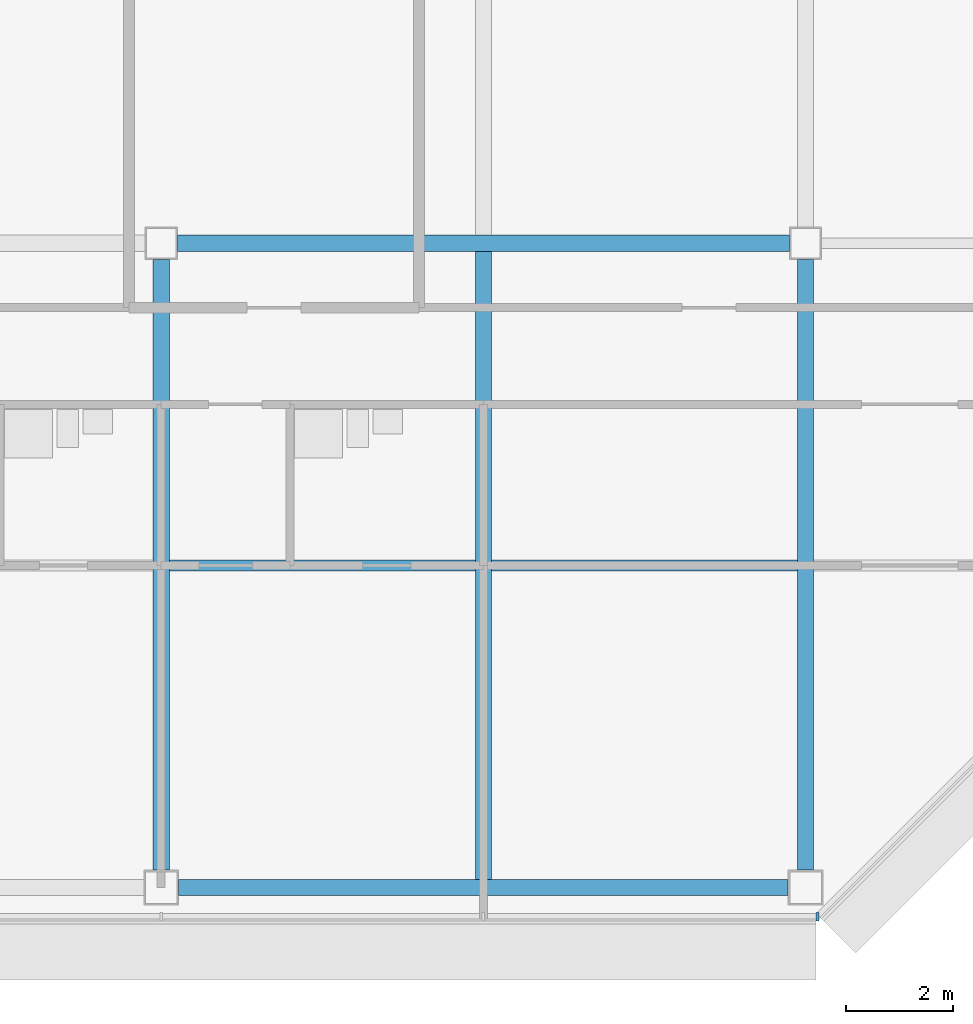
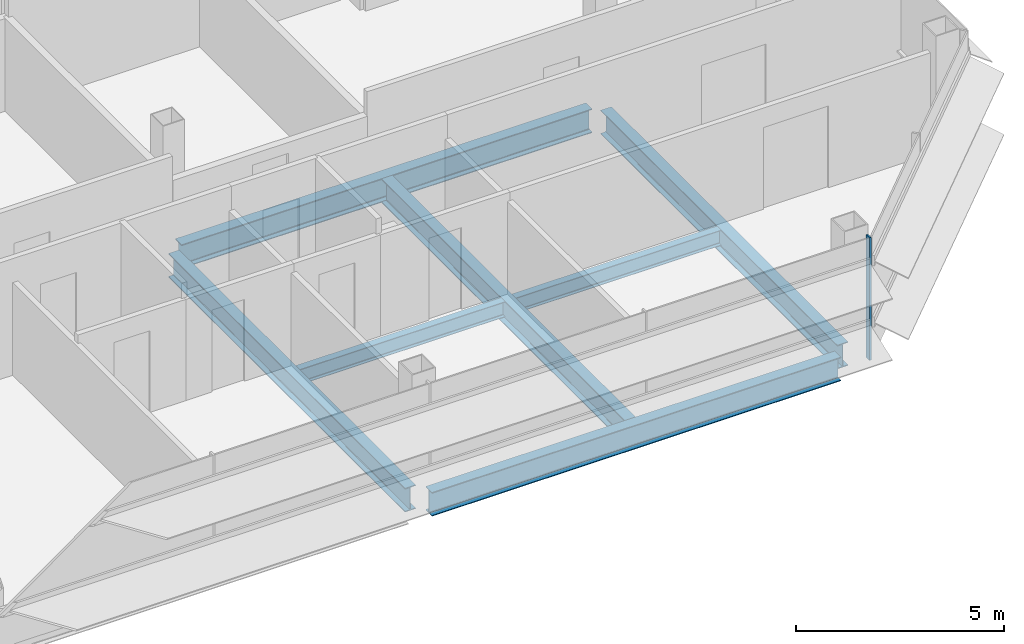
# One storey, part 9 of 26: 7 beams, 1 member, 1 element without a shape of its own.
"""IFC4 building model written with IfcOpenShell, lengths in metres."""

from ifc_helpers import new_model, si_unit, direction, frame, origin, origin_2d, place, context, subcontext, project, spatial, rectangle, i_section, extrude, material, material_profile, profile_set, type_object, element, aggregate, save


model = new_model("IFC4")

# Units and contexts
model_context = context("Model", 3, precision=1e-05, world=origin(), true_north=direction((0.0, 1.0)))
body_context = subcontext(model_context, "Body", "Model", "MODEL_VIEW")
ifc_project = project(units=[si_unit("LENGTHUNIT", "METRE"), si_unit("AREAUNIT", "SQUARE_METRE"), si_unit("VOLUMEUNIT", "CUBIC_METRE"), si_unit("PLANEANGLEUNIT", "RADIAN"), si_unit("MASSUNIT", "GRAM", prefix="KILO")], contexts=[model_context])

# Site, building, storey
site_placement = place(None, origin())
site = spatial("IfcSite", under=ifc_project, at=site_placement, CompositionType="ELEMENT")
building_placement = place(site_placement, origin())
building = spatial("IfcBuilding", under=site, at=building_placement, Name="Sorahane Residences", CompositionType="ELEMENT")
storey_placement = place(building_placement, frame((0.0, 0.0, 243.199951171875)))
storey = spatial("IfcBuildingStorey", under=building, at=storey_placement, Name="L57", CompositionType="ELEMENT", Elevation=243.199951171875)

# Curtain wall, member
ifc_material_1 = material(Name="Dark low-e glass and black anodised aluminium", Category="aluminium")
curtain_wall_type = type_object("IfcCurtainWallType", Name="Curtain wall CW-1 Typical unitised wall", PredefinedType="NOTDEFINED", material=ifc_material_1)
curtain_wall_placement = place(storey_placement, origin())
curtain_wall = element("IfcCurtainWall", 1, at=curtain_wall_placement, inside=storey, type_object=curtain_wall_type, Name="CW-1 curtain wall L57 S1", PredefinedType="NOTDEFINED")
ifc_material_2 = material(Name="Black anodised aluminium", Category="aluminium")
ifc_material_profile_1 = material_profile(ifc_material_2, rectangle(XDim=0.159912109375, YDim=0.050048828125, at=origin_2d()), Name="Curtain wall mullion CW-1 black anodised aluminium 50x160")
ifc_profile_set_1 = profile_set([ifc_material_profile_1], Name="Black anodised aluminium")
member_type = type_object("IfcMemberType", Name="Curtain wall mullion CW-1 black anodised aluminium 50x160", PredefinedType="MULLION", material=ifc_profile_set_1)
member_placement = place(storey_placement, frame((48.2236328125, -0.5400390625, -0.179931640625), z_axis=(0.0, 0.0, 1.0), x_axis=(0.0, -1.0, 0.0)))
member = element("IfcMember", 2, at=member_placement, type_object=member_type, Name="CW-1 mullion L57 S1.10", PredefinedType="MULLION", context=body_context, shape_type="SweptSolid", body=[
    extrude(rectangle(XDim=0.159912109375, YDim=0.050048828125, at=origin_2d()), origin(), (0.0, 0.0, 1.0), 3.60009765625),
])
aggregate(curtain_wall, [member])

# Beams
ifc_material_3 = material(Name="Steel Q355B", Category="steel")
ifc_material_profile_2 = material_profile(ifc_material_3, i_section(OverallWidth=0.199951171875, OverallDepth=0.449951171875, WebThickness=0.009033203125, FlangeThickness=0.013916015625, FilletRadius=0.02001953125, at=origin_2d()), Name="HN 450x200x9x14")
ifc_profile_set_2 = profile_set([ifc_material_profile_2], Name="Steel Q355B")
beam_type_1 = type_object("IfcBeamType", Name="Steel floor beam HN 450x200x9x14 Q355B", PredefinedType="BEAM", material=ifc_profile_set_2)
for number, where, z_axis, x_axis, name in (
    (3, (36.14990234375, 6.0, -0.405029296875), (1.0, 0.0, 0.0), (0.0, 1.0, 0.0), "Beam L57 075"),
    (4, (42.14990234375, 6.0, -0.405029296875), (1.0, 0.0, 0.0), (0.0, 1.0, 0.0), "Beam L57 076"),
):
    element("IfcBeam", number, at=place(storey_placement, frame(where, z_axis=z_axis, x_axis=x_axis)), inside=storey, type_object=beam_type_1, Name=name, PredefinedType="BEAM", context=body_context, shape_type="SweptSolid", body=[
        extrude(i_section(OverallWidth=0.199951171875, OverallDepth=0.449951171875, WebThickness=0.009033203125, FlangeThickness=0.013916015625, FilletRadius=0.02001953125, at=origin_2d()), origin(), (0.0, 0.0, 1.0), 5.7001953125),
    ])
ifc_material_4 = material(Name="Steel Q355B", Category="steel")
ifc_material_profile_3 = material_profile(ifc_material_4, i_section(OverallWidth=0.300048828125, OverallDepth=0.699951171875, WebThickness=0.012939453125, FlangeThickness=0.02392578125, FilletRadius=0.028076171875, at=origin_2d()), Name="HN 700x300x13x24")
ifc_profile_set_3 = profile_set([ifc_material_profile_3], Name="Steel Q355B")
beam_type_2 = type_object("IfcBeamType", Name="Steel floor beam HN 700x300x13x24 Q355B", PredefinedType="BEAM", material=ifc_profile_set_3)
beam_1_placement = place(storey_placement, frame((36.324951171875, 0.0, -0.530029296875), z_axis=(1.0, 0.0, 0.0), x_axis=(0.0, 1.0, 0.0)))
element("IfcBeam", 5, at=beam_1_placement, inside=storey, type_object=beam_type_2, Name="Beam L57 004", PredefinedType="BEAM", context=body_context, shape_type="SweptSolid", body=[
    extrude(i_section(OverallWidth=0.300048828125, OverallDepth=0.699951171875, WebThickness=0.012939453125, FlangeThickness=0.02392578125, FilletRadius=0.028076171875, at=origin_2d()), origin(), (0.0, 0.0, 1.0), 11.35009765625),
])
beam_2_placement = place(storey_placement, frame((36.300048828125, 12.0, -0.530029296875), z_axis=(1.0, 0.0, 0.0), x_axis=(0.0, 1.0, 0.0)))
element("IfcBeam", 6, at=beam_2_placement, inside=storey, type_object=beam_type_2, Name="Beam L57 009", PredefinedType="BEAM", context=body_context, shape_type="SweptSolid", body=[
    extrude(i_section(OverallWidth=0.300048828125, OverallDepth=0.699951171875, WebThickness=0.012939453125, FlangeThickness=0.02392578125, FilletRadius=0.028076171875, at=origin_2d()), origin(), (0.0, 0.0, 1.0), 11.39990234375),
])
beam_3_placement = place(storey_placement, frame((36.0, 0.324951171875, -0.530029296875), z_axis=(0.0, 1.0, 0.0), x_axis=(-1.0, 0.0, 0.0)))
element("IfcBeam", 7, at=beam_3_placement, inside=storey, type_object=beam_type_2, Name="Beam L57 050", PredefinedType="BEAM", context=body_context, shape_type="SweptSolid", body=[
    extrude(i_section(OverallWidth=0.300048828125, OverallDepth=0.699951171875, WebThickness=0.012939453125, FlangeThickness=0.02392578125, FilletRadius=0.028076171875, at=origin_2d()), origin(), (0.0, 0.0, 1.0), 11.375),
])
beam_4_placement = place(storey_placement, frame((42.0, 0.14990234375, -0.530029296875), z_axis=(0.0, 1.0, 0.0), x_axis=(-1.0, 0.0, 0.0)))
element("IfcBeam", 8, at=beam_4_placement, inside=storey, type_object=beam_type_2, Name="Beam L57 052", PredefinedType="BEAM", context=body_context, shape_type="SweptSolid", body=[
    extrude(i_section(OverallWidth=0.300048828125, OverallDepth=0.699951171875, WebThickness=0.012939453125, FlangeThickness=0.02392578125, FilletRadius=0.028076171875, at=origin_2d()), origin(), (0.0, 0.0, 1.0), 11.7001953125),
])
beam_5_placement = place(storey_placement, frame((48.0, 0.324951171875, -0.530029296875), z_axis=(0.0, 1.0, 0.0), x_axis=(-1.0, 0.0, 0.0)))
element("IfcBeam", 9, at=beam_5_placement, inside=storey, type_object=beam_type_2, Name="Beam L57 058", PredefinedType="BEAM", context=body_context, shape_type="SweptSolid", body=[
    extrude(i_section(OverallWidth=0.300048828125, OverallDepth=0.699951171875, WebThickness=0.012939453125, FlangeThickness=0.02392578125, FilletRadius=0.028076171875, at=origin_2d()), origin(), (0.0, 0.0, 1.0), 11.375),
])

save(model, "model.ifc")
